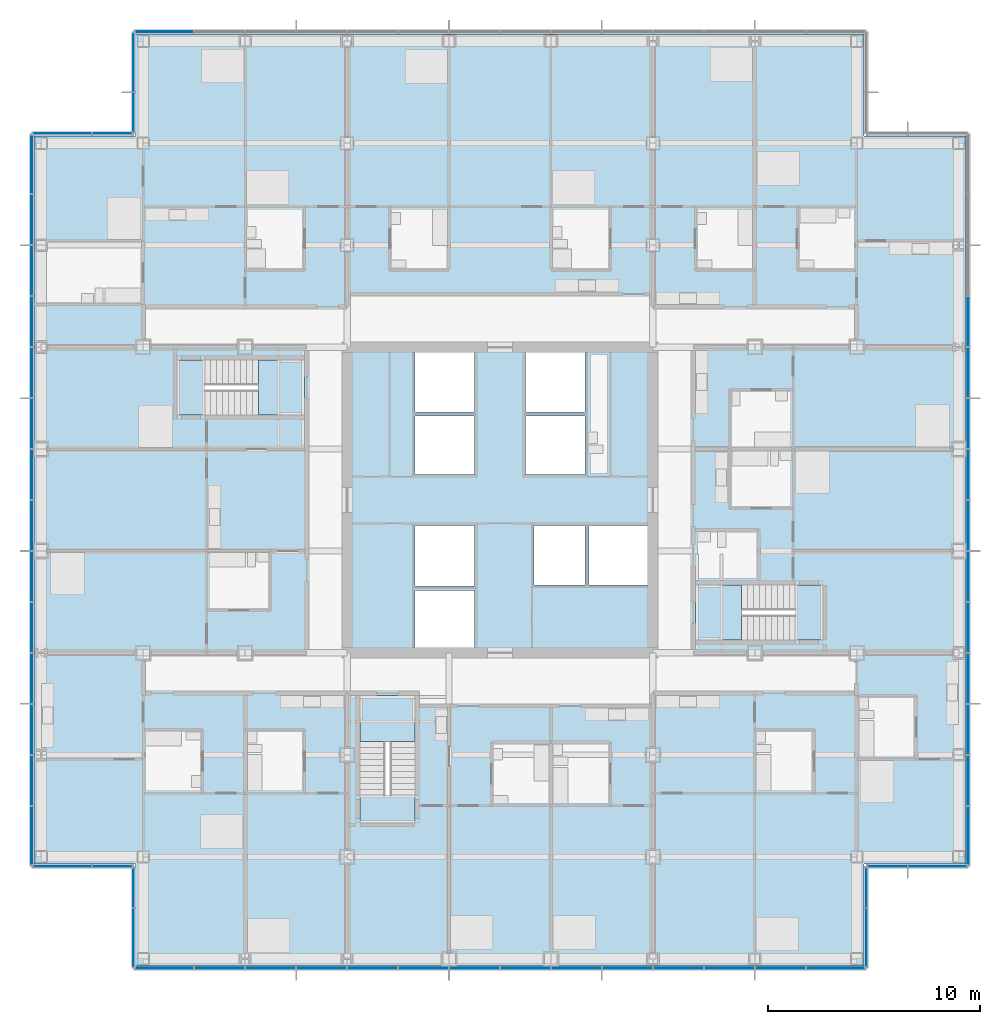
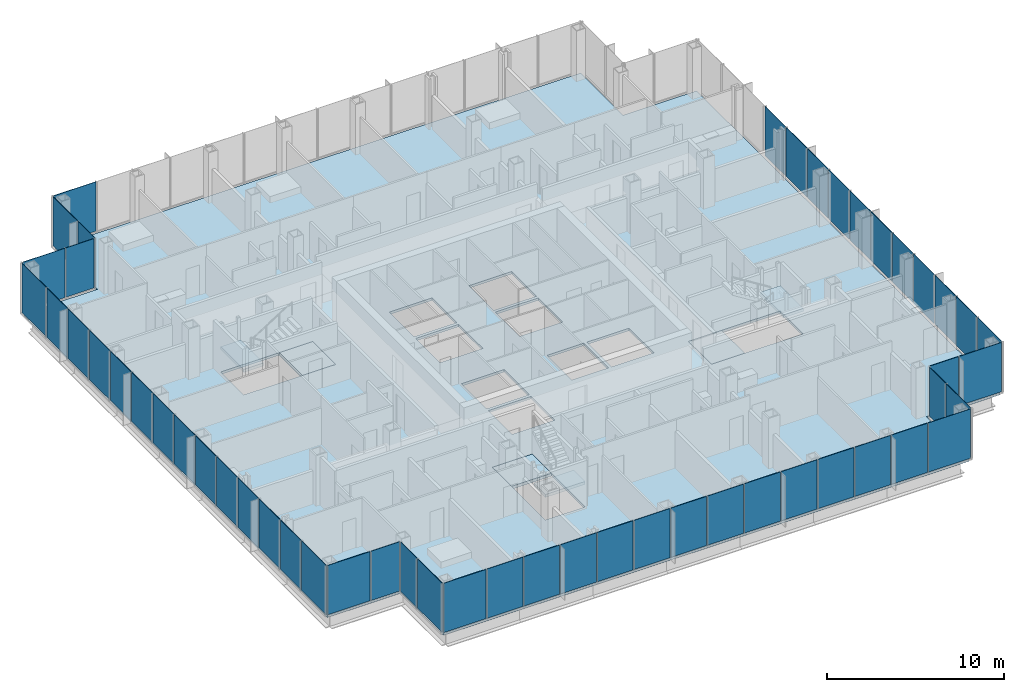
# One storey, part 12 of 21: 52 plates, 7 slabs, 13 elements without a shape of their own.
"""IFC4 building model written with IfcOpenShell, lengths in metres."""

from ifc_helpers import new_model, si_unit, direction, frame, origin, origin_2d, place, context, subcontext, project, spatial, polyline, rectangle, outline, extrude, material, layer, layer_set, type_object, element, aggregate, save


model = new_model("IFC4")

# Units and contexts
model_context = context("Model", 3, precision=1e-05, world=origin(), true_north=direction((0.0, 1.0)))
body_context = subcontext(model_context, "Body", "Model", "MODEL_VIEW")
ifc_project = project(units=[si_unit("LENGTHUNIT", "METRE"), si_unit("AREAUNIT", "SQUARE_METRE"), si_unit("VOLUMEUNIT", "CUBIC_METRE"), si_unit("PLANEANGLEUNIT", "RADIAN"), si_unit("MASSUNIT", "GRAM", prefix="KILO")], contexts=[model_context])

# Site, building, storey
site_placement = place(None, origin())
site = spatial("IfcSite", under=ifc_project, at=site_placement, CompositionType="ELEMENT")
building_placement = place(site_placement, origin())
building = spatial("IfcBuilding", under=site, at=building_placement, Name="Kvirike Care Tower", CompositionType="ELEMENT")
storey_placement = place(building_placement, frame((0.0, 0.0, 41.0)))
storey = spatial("IfcBuildingStorey", under=building, at=storey_placement, Name="L10", CompositionType="ELEMENT", Elevation=41.0)

# Slab
ifc_material_1 = material(Name="Concrete C35/45", Category="concrete")
ifc_layer_1 = layer(ifc_material_1, 0.169921875)
ifc_layer_set_1 = layer_set([ifc_layer_1], Name="FLOOR SLAB 170")
slab_type_1 = type_object("IfcSlabType", Name="FLOOR SLAB 170", PredefinedType="FLOOR", material=ifc_layer_set_1)
slab_1_placement = place(storey_placement, frame((0.0, 0.0, -0.169921875)))
element("IfcSlab", 1, at=slab_1_placement, inside=storey, type_object=slab_type_1, Name="Floor slab L10", PredefinedType="FLOOR", context=body_context, shape_type="SweptSolid", body=[
    extrude(outline(polyline([(-0.35009765625, 53.14990234375), (-0.35009765625, 18.85009765625), (4.449951171875, 18.85009765625), (4.449951171875, 14.050048828125), (38.75, 14.050048828125), (38.75, 18.85009765625), (43.550048828125, 18.85009765625), (43.550048828125, 53.14990234375), (38.75, 53.14990234375), (38.75, 57.949951171875), (4.449951171875, 57.949951171875), (4.449951171875, 53.14990234375), (-0.35009765625, 53.14990234375)]), holes=[polyline([(17.60009765625, 29.050048828125), (17.60009765625, 31.75), (20.39990234375, 31.75), (20.39990234375, 29.050048828125), (17.60009765625, 29.050048828125)]), polyline([(17.60009765625, 31.949951171875), (17.60009765625, 34.800048828125), (20.39990234375, 34.800048828125), (20.39990234375, 31.949951171875), (17.60009765625, 31.949951171875)]), polyline([(17.60009765625, 37.199951171875), (17.60009765625, 39.949951171875), (20.39990234375, 39.949951171875), (20.39990234375, 37.199951171875), (17.60009765625, 37.199951171875)]), polyline([(17.60009765625, 40.14990234375), (17.60009765625, 42.949951171875), (20.39990234375, 42.949951171875), (20.39990234375, 40.14990234375), (17.60009765625, 40.14990234375)]), polyline([(22.800048828125, 37.199951171875), (22.800048828125, 39.949951171875), (25.60009765625, 39.949951171875), (25.60009765625, 37.199951171875), (22.800048828125, 37.199951171875)]), polyline([(22.800048828125, 40.14990234375), (22.800048828125, 42.949951171875), (25.60009765625, 42.949951171875), (25.60009765625, 40.14990234375), (22.800048828125, 40.14990234375)]), polyline([(23.199951171875, 32.0), (23.199951171875, 34.800048828125), (25.60009765625, 34.800048828125), (25.60009765625, 32.0), (23.199951171875, 32.0)]), polyline([(25.800048828125, 32.0), (25.800048828125, 34.800048828125), (28.550048828125, 34.800048828125), (28.550048828125, 32.0), (25.800048828125, 32.0)]), polyline([(12.39990234375, 42.60009765625), (12.39990234375, 40.0), (6.39990234375, 40.0), (6.39990234375, 42.60009765625), (12.39990234375, 42.60009765625)]), polyline([(30.800048828125, 29.39990234375), (30.800048828125, 32.0), (36.800048828125, 32.0), (36.800048828125, 29.39990234375), (30.800048828125, 29.39990234375)]), polyline([(15.0, 26.800048828125), (17.60009765625, 26.800048828125), (17.60009765625, 20.800048828125), (15.0, 20.800048828125), (15.0, 26.800048828125)])]), origin(), (0.0, 0.0, 1.0), 0.169921875),
])

# Stair, slabs
ifc_material_2 = material(Name="Concrete C35/45", Category="concrete")
stair_type = type_object("IfcStairType", Name="STAIR 20 RISERS", PredefinedType="HALF_TURN_STAIR", material=ifc_material_2)
stair_1_placement = place(storey_placement, origin())
stair_1 = element("IfcStair", 2, at=stair_1_placement, inside=storey, type_object=stair_type, Name="Stair 1 L10", PredefinedType="HALF_TURN_STAIR")
ifc_material_3 = material(Name="Concrete C35/45", Category="concrete")
ifc_layer_2 = layer(ifc_material_3, 0.199951171875)
ifc_layer_set_2 = layer_set([ifc_layer_2], Name="STAIR LANDING 200")
slab_type_2 = type_object("IfcSlabType", Name="STAIR LANDING 200", PredefinedType="LANDING", material=ifc_layer_set_2)
slab_2_placement = place(storey_placement, frame((0.0, 0.0, -0.199951171875)))
slab_2 = element("IfcSlab", 3, at=slab_2_placement, type_object=slab_type_2, Name="Stair S1 floor landing L10", PredefinedType="LANDING", context=body_context, shape_type="SweptSolid", body=[
    extrude(outline(polyline([(10.219970703125, 42.60009765625), (10.219970703125, 40.0), (12.39990234375, 40.0), (12.39990234375, 42.60009765625), (10.219970703125, 42.60009765625)])), origin(), (0.0, 0.0, 1.0), 0.199951171875),
])
slab_3_placement = place(storey_placement, frame((0.0, 0.0, 1.550048828125)))
slab_3 = element("IfcSlab", 4, at=slab_3_placement, type_object=slab_type_2, Name="Stair S1 half landing L10-L11", PredefinedType="LANDING", context=body_context, shape_type="SweptSolid", body=[
    extrude(outline(polyline([(6.39990234375, 42.60009765625), (6.39990234375, 40.0), (7.699951171875, 40.0), (7.699951171875, 42.60009765625), (6.39990234375, 42.60009765625)])), origin(), (0.0, 0.0, 1.0), 0.199951171875),
])
aggregate(stair_1, [slab_2, slab_3])

stair_2_placement = place(storey_placement, origin())
stair_2 = element("IfcStair", 5, at=stair_2_placement, inside=storey, type_object=stair_type, Name="Stair 2 L10", PredefinedType="HALF_TURN_STAIR")
slab_4_placement = place(storey_placement, frame((0.0, 0.0, -0.199951171875)))
slab_4 = element("IfcSlab", 6, at=slab_4_placement, type_object=slab_type_2, Name="Stair S2 floor landing L10", PredefinedType="LANDING", context=body_context, shape_type="SweptSolid", body=[
    extrude(outline(polyline([(32.97998046875, 29.39990234375), (32.97998046875, 32.0), (30.800048828125, 32.0), (30.800048828125, 29.39990234375), (32.97998046875, 29.39990234375)])), origin(), (0.0, 0.0, 1.0), 0.199951171875),
])
slab_5_placement = place(storey_placement, frame((0.0, 0.0, 1.550048828125)))
slab_5 = element("IfcSlab", 7, at=slab_5_placement, type_object=slab_type_2, Name="Stair S2 half landing L10-L11", PredefinedType="LANDING", context=body_context, shape_type="SweptSolid", body=[
    extrude(outline(polyline([(36.800048828125, 29.39990234375), (36.800048828125, 32.0), (35.5, 32.0), (35.5, 29.39990234375), (36.800048828125, 29.39990234375)])), origin(), (0.0, 0.0, 1.0), 0.199951171875),
])
aggregate(stair_2, [slab_4, slab_5])

stair_3_placement = place(storey_placement, origin())
stair_3 = element("IfcStair", 8, at=stair_3_placement, inside=storey, type_object=stair_type, Name="Stair 5 L10", PredefinedType="HALF_TURN_STAIR")
slab_6_placement = place(storey_placement, frame((0.0, 0.0, -0.199951171875)))
slab_6 = element("IfcSlab", 9, at=slab_6_placement, type_object=slab_type_2, Name="Stair S5 floor landing L10", PredefinedType="LANDING", context=body_context, shape_type="SweptSolid", body=[
    extrude(outline(polyline([(15.0, 24.6201171875), (17.60009765625, 24.6201171875), (17.60009765625, 26.800048828125), (15.0, 26.800048828125), (15.0, 24.6201171875)])), origin(), (0.0, 0.0, 1.0), 0.199951171875),
])
slab_7_placement = place(storey_placement, frame((0.0, 0.0, 1.550048828125)))
slab_7 = element("IfcSlab", 10, at=slab_7_placement, type_object=slab_type_2, Name="Stair S5 half landing L10-L11", PredefinedType="LANDING", context=body_context, shape_type="SweptSolid", body=[
    extrude(outline(polyline([(15.0, 20.800048828125), (17.60009765625, 20.800048828125), (17.60009765625, 22.10009765625), (15.0, 22.10009765625), (15.0, 20.800048828125)])), origin(), (0.0, 0.0, 1.0), 0.199951171875),
])
aggregate(stair_3, [slab_6, slab_7])

# Curtain wall, plates
ifc_material_4 = material(Name="Anodised aluminium stick system", Category="aluminium")
curtain_wall_type = type_object("IfcCurtainWallType", Name="CW-A STICK CURTAIN WALL", PredefinedType="NOTDEFINED", material=ifc_material_4)
curtain_wall_1_placement = place(storey_placement, origin())
curtain_wall_1 = element("IfcCurtainWall", 11, at=curtain_wall_1_placement, inside=storey, type_object=curtain_wall_type, Name="Curtain wall L10 face 1", PredefinedType="NOTDEFINED")
ifc_material_5 = material(Name="Tinted double glazed unit", Category="glass")
ifc_layer_3 = layer(ifc_material_5, 0.031982421875)
ifc_layer_set_3 = layer_set([ifc_layer_3], Name="TINTED VISION PANEL 32")
plate_type = type_object("IfcPlateType", Name="TINTED VISION PANEL 32", PredefinedType="CURTAIN_PANEL", material=ifc_layer_set_3)
plate_1_placement = place(storey_placement, frame((-0.449951171875, 51.808837890625, 0.10009765625), z_axis=(0.0, 0.0, 1.0), x_axis=(0.0, -1.0, 0.0)))
plate_1 = element("IfcPlate", 12, at=plate_1_placement, type_object=plate_type, Name="CW-A panel L10 face 1.1", PredefinedType="CURTAIN_PANEL", context=body_context, shape_type="SweptSolid", body=[
    extrude(rectangle(XDim=2.75244140625, YDim=0.031982421875, at=origin_2d()), origin(), (0.0, 0.0, 1.0), 3.39990234375),
])
plate_2_placement = place(storey_placement, frame((-0.449951171875, 49.199951171875, 0.10009765625), z_axis=(0.0, 0.0, 1.0), x_axis=(0.0, -1.0, 0.0)))
plate_2 = element("IfcPlate", 13, at=plate_2_placement, type_object=plate_type, Name="CW-A panel L10 face 1.2", PredefinedType="CURTAIN_PANEL", context=body_context, shape_type="SweptSolid", body=[
    extrude(rectangle(XDim=2.3349609375, YDim=0.031982421875, at=origin_2d()), origin(), (0.0, 0.0, 1.0), 3.39990234375),
])
plate_3_placement = place(storey_placement, frame((-0.449951171875, 46.800048828125, 0.10009765625), z_axis=(0.0, 0.0, 1.0), x_axis=(0.0, -1.0, 0.0)))
plate_3 = element("IfcPlate", 14, at=plate_3_placement, type_object=plate_type, Name="CW-A panel L10 face 1.3", PredefinedType="CURTAIN_PANEL", context=body_context, shape_type="SweptSolid", body=[
    extrude(rectangle(XDim=2.3349609375, YDim=0.031982421875, at=origin_2d()), origin(), (0.0, 0.0, 1.0), 3.39990234375),
])
plate_4_placement = place(storey_placement, frame((-0.449951171875, 44.39990234375, 0.10009765625), z_axis=(0.0, 0.0, 1.0), x_axis=(0.0, -1.0, 0.0)))
plate_4 = element("IfcPlate", 15, at=plate_4_placement, type_object=plate_type, Name="CW-A panel L10 face 1.4", PredefinedType="CURTAIN_PANEL", context=body_context, shape_type="SweptSolid", body=[
    extrude(rectangle(XDim=2.3349609375, YDim=0.031982421875, at=origin_2d()), origin(), (0.0, 0.0, 1.0), 3.39990234375),
])
plate_5_placement = place(storey_placement, frame((-0.449951171875, 42.0, 0.10009765625), z_axis=(0.0, 0.0, 1.0), x_axis=(0.0, -1.0, 0.0)))
plate_5 = element("IfcPlate", 16, at=plate_5_placement, type_object=plate_type, Name="CW-A panel L10 face 1.5", PredefinedType="CURTAIN_PANEL", context=body_context, shape_type="SweptSolid", body=[
    extrude(rectangle(XDim=2.3349609375, YDim=0.031982421875, at=origin_2d()), origin(), (0.0, 0.0, 1.0), 3.39990234375),
])
plate_6_placement = place(storey_placement, frame((-0.449951171875, 39.60009765625, 0.10009765625), z_axis=(0.0, 0.0, 1.0), x_axis=(0.0, -1.0, 0.0)))
plate_6 = element("IfcPlate", 17, at=plate_6_placement, type_object=plate_type, Name="CW-A panel L10 face 1.6", PredefinedType="CURTAIN_PANEL", context=body_context, shape_type="SweptSolid", body=[
    extrude(rectangle(XDim=2.3349609375, YDim=0.031982421875, at=origin_2d()), origin(), (0.0, 0.0, 1.0), 3.39990234375),
])
plate_7_placement = place(storey_placement, frame((-0.449951171875, 37.199951171875, 0.10009765625), z_axis=(0.0, 0.0, 1.0), x_axis=(0.0, -1.0, 0.0)))
plate_7 = element("IfcPlate", 18, at=plate_7_placement, type_object=plate_type, Name="CW-A panel L10 face 1.7", PredefinedType="CURTAIN_PANEL", context=body_context, shape_type="SweptSolid", body=[
    extrude(rectangle(XDim=2.3349609375, YDim=0.031982421875, at=origin_2d()), origin(), (0.0, 0.0, 1.0), 3.39990234375),
])
plate_8_placement = place(storey_placement, frame((-0.449951171875, 34.800048828125, 0.10009765625), z_axis=(0.0, 0.0, 1.0), x_axis=(0.0, -1.0, 0.0)))
plate_8 = element("IfcPlate", 19, at=plate_8_placement, type_object=plate_type, Name="CW-A panel L10 face 1.8", PredefinedType="CURTAIN_PANEL", context=body_context, shape_type="SweptSolid", body=[
    extrude(rectangle(XDim=2.3349609375, YDim=0.031982421875, at=origin_2d()), origin(), (0.0, 0.0, 1.0), 3.39990234375),
])
plate_9_placement = place(storey_placement, frame((-0.449951171875, 32.39990234375, 0.10009765625), z_axis=(0.0, 0.0, 1.0), x_axis=(0.0, -1.0, 0.0)))
plate_9 = element("IfcPlate", 20, at=plate_9_placement, type_object=plate_type, Name="CW-A panel L10 face 1.9", PredefinedType="CURTAIN_PANEL", context=body_context, shape_type="SweptSolid", body=[
    extrude(rectangle(XDim=2.3349609375, YDim=0.031982421875, at=origin_2d()), origin(), (0.0, 0.0, 1.0), 3.39990234375),
])
plate_10_placement = place(storey_placement, frame((-0.449951171875, 30.0, 0.10009765625), z_axis=(0.0, 0.0, 1.0), x_axis=(0.0, -1.0, 0.0)))
plate_10 = element("IfcPlate", 21, at=plate_10_placement, type_object=plate_type, Name="CW-A panel L10 face 1.10", PredefinedType="CURTAIN_PANEL", context=body_context, shape_type="SweptSolid", body=[
    extrude(rectangle(XDim=2.3349609375, YDim=0.031982421875, at=origin_2d()), origin(), (0.0, 0.0, 1.0), 3.39990234375),
])
plate_11_placement = place(storey_placement, frame((-0.449951171875, 27.60009765625, 0.10009765625), z_axis=(0.0, 0.0, 1.0), x_axis=(0.0, -1.0, 0.0)))
plate_11 = element("IfcPlate", 22, at=plate_11_placement, type_object=plate_type, Name="CW-A panel L10 face 1.11", PredefinedType="CURTAIN_PANEL", context=body_context, shape_type="SweptSolid", body=[
    extrude(rectangle(XDim=2.3349609375, YDim=0.031982421875, at=origin_2d()), origin(), (0.0, 0.0, 1.0), 3.39990234375),
])
plate_12_placement = place(storey_placement, frame((-0.449951171875, 25.199951171875, 0.10009765625), z_axis=(0.0, 0.0, 1.0), x_axis=(0.0, -1.0, 0.0)))
plate_12 = element("IfcPlate", 23, at=plate_12_placement, type_object=plate_type, Name="CW-A panel L10 face 1.12", PredefinedType="CURTAIN_PANEL", context=body_context, shape_type="SweptSolid", body=[
    extrude(rectangle(XDim=2.3349609375, YDim=0.031982421875, at=origin_2d()), origin(), (0.0, 0.0, 1.0), 3.39990234375),
])
plate_13_placement = place(storey_placement, frame((-0.449951171875, 22.800048828125, 0.10009765625), z_axis=(0.0, 0.0, 1.0), x_axis=(0.0, -1.0, 0.0)))
plate_13 = element("IfcPlate", 24, at=plate_13_placement, type_object=plate_type, Name="CW-A panel L10 face 1.13", PredefinedType="CURTAIN_PANEL", context=body_context, shape_type="SweptSolid", body=[
    extrude(rectangle(XDim=2.3349609375, YDim=0.031982421875, at=origin_2d()), origin(), (0.0, 0.0, 1.0), 3.39990234375),
])
plate_14_placement = place(storey_placement, frame((-0.449951171875, 20.191162109375, 0.10009765625), z_axis=(0.0, 0.0, 1.0), x_axis=(0.0, -1.0, 0.0)))
plate_14 = element("IfcPlate", 25, at=plate_14_placement, type_object=plate_type, Name="CW-A panel L10 face 1.14", PredefinedType="CURTAIN_PANEL", context=body_context, shape_type="SweptSolid", body=[
    extrude(rectangle(XDim=2.75244140625, YDim=0.031982421875, at=origin_2d()), origin(), (0.0, 0.0, 1.0), 3.39990234375),
])
aggregate(curtain_wall_1, [plate_1, plate_2, plate_3, plate_4, plate_5, plate_6, plate_7, plate_8, plate_9, plate_10, plate_11, plate_12, plate_13, plate_14])

curtain_wall_2_placement = place(storey_placement, origin())
curtain_wall_2 = element("IfcCurtainWall", 26, at=curtain_wall_2_placement, inside=storey, type_object=curtain_wall_type, Name="Curtain wall L10 face 2", PredefinedType="NOTDEFINED")
plate_15_placement = place(storey_placement, frame((0.9912109375, 18.75, 0.10009765625), z_axis=(0.0, 0.0, 1.0), x_axis=(1.0, 0.0, 0.0)))
plate_15 = element("IfcPlate", 27, at=plate_15_placement, type_object=plate_type, Name="CW-A panel L10 face 2.1", PredefinedType="CURTAIN_PANEL", context=body_context, shape_type="SweptSolid", body=[
    extrude(rectangle(XDim=2.75244140625, YDim=0.031982421875, at=origin_2d()), origin(), (0.0, 0.0, 1.0), 3.39990234375),
])
plate_16_placement = place(storey_placement, frame((3.358642578125, 18.75, 0.10009765625), z_axis=(0.0, 0.0, 1.0), x_axis=(1.0, 0.0, 0.0)))
plate_16 = element("IfcPlate", 28, at=plate_16_placement, type_object=plate_type, Name="CW-A panel L10 face 2.2", PredefinedType="CURTAIN_PANEL", context=body_context, shape_type="SweptSolid", body=[
    extrude(rectangle(XDim=1.8525390625, YDim=0.031982421875, at=origin_2d()), origin(), (0.0, 0.0, 1.0), 3.39990234375),
])
aggregate(curtain_wall_2, [plate_15, plate_16])

curtain_wall_3_placement = place(storey_placement, origin())
curtain_wall_3 = element("IfcCurtainWall", 29, at=curtain_wall_3_placement, inside=storey, type_object=curtain_wall_type, Name="Curtain wall L10 face 3", PredefinedType="NOTDEFINED")
plate_17_placement = place(storey_placement, frame((4.35009765625, 17.7587890625, 0.10009765625), z_axis=(0.0, 0.0, 1.0), x_axis=(0.0, -1.0, 0.0)))
plate_17 = element("IfcPlate", 30, at=plate_17_placement, type_object=plate_type, Name="CW-A panel L10 face 3.1", PredefinedType="CURTAIN_PANEL", context=body_context, shape_type="SweptSolid", body=[
    extrude(rectangle(XDim=1.8525390625, YDim=0.031982421875, at=origin_2d()), origin(), (0.0, 0.0, 1.0), 3.39990234375),
])
plate_18_placement = place(storey_placement, frame((4.35009765625, 15.391357421875, 0.10009765625), z_axis=(0.0, 0.0, 1.0), x_axis=(0.0, -1.0, 0.0)))
plate_18 = element("IfcPlate", 31, at=plate_18_placement, type_object=plate_type, Name="CW-A panel L10 face 3.2", PredefinedType="CURTAIN_PANEL", context=body_context, shape_type="SweptSolid", body=[
    extrude(rectangle(XDim=2.75244140625, YDim=0.031982421875, at=origin_2d()), origin(), (0.0, 0.0, 1.0), 3.39990234375),
])
aggregate(curtain_wall_3, [plate_17, plate_18])

curtain_wall_4_placement = place(storey_placement, origin())
curtain_wall_4 = element("IfcCurtainWall", 32, at=curtain_wall_4_placement, inside=storey, type_object=curtain_wall_type, Name="Curtain wall L10 face 4", PredefinedType="NOTDEFINED")
plate_19_placement = place(storey_placement, frame((5.791259765625, 13.949951171875, 0.10009765625), z_axis=(0.0, 0.0, 1.0), x_axis=(1.0, 0.0, 0.0)))
plate_19 = element("IfcPlate", 33, at=plate_19_placement, type_object=plate_type, Name="CW-A panel L10 face 4.1", PredefinedType="CURTAIN_PANEL", context=body_context, shape_type="SweptSolid", body=[
    extrude(rectangle(XDim=2.75244140625, YDim=0.031982421875, at=origin_2d()), origin(), (0.0, 0.0, 1.0), 3.39990234375),
])
plate_20_placement = place(storey_placement, frame((8.39990234375, 13.949951171875, 0.10009765625), z_axis=(0.0, 0.0, 1.0), x_axis=(1.0, 0.0, 0.0)))
plate_20 = element("IfcPlate", 34, at=plate_20_placement, type_object=plate_type, Name="CW-A panel L10 face 4.2", PredefinedType="CURTAIN_PANEL", context=body_context, shape_type="SweptSolid", body=[
    extrude(rectangle(XDim=2.3349609375, YDim=0.031982421875, at=origin_2d()), origin(), (0.0, 0.0, 1.0), 3.39990234375),
])
plate_21_placement = place(storey_placement, frame((10.800048828125, 13.949951171875, 0.10009765625), z_axis=(0.0, 0.0, 1.0), x_axis=(1.0, 0.0, 0.0)))
plate_21 = element("IfcPlate", 35, at=plate_21_placement, type_object=plate_type, Name="CW-A panel L10 face 4.3", PredefinedType="CURTAIN_PANEL", context=body_context, shape_type="SweptSolid", body=[
    extrude(rectangle(XDim=2.3349609375, YDim=0.031982421875, at=origin_2d()), origin(), (0.0, 0.0, 1.0), 3.39990234375),
])
plate_22_placement = place(storey_placement, frame((13.199951171875, 13.949951171875, 0.10009765625), z_axis=(0.0, 0.0, 1.0), x_axis=(1.0, 0.0, 0.0)))
plate_22 = element("IfcPlate", 36, at=plate_22_placement, type_object=plate_type, Name="CW-A panel L10 face 4.4", PredefinedType="CURTAIN_PANEL", context=body_context, shape_type="SweptSolid", body=[
    extrude(rectangle(XDim=2.3349609375, YDim=0.031982421875, at=origin_2d()), origin(), (0.0, 0.0, 1.0), 3.39990234375),
])
plate_23_placement = place(storey_placement, frame((15.60009765625, 13.949951171875, 0.10009765625), z_axis=(0.0, 0.0, 1.0), x_axis=(1.0, 0.0, 0.0)))
plate_23 = element("IfcPlate", 37, at=plate_23_placement, type_object=plate_type, Name="CW-A panel L10 face 4.5", PredefinedType="CURTAIN_PANEL", context=body_context, shape_type="SweptSolid", body=[
    extrude(rectangle(XDim=2.3349609375, YDim=0.031982421875, at=origin_2d()), origin(), (0.0, 0.0, 1.0), 3.39990234375),
])
plate_24_placement = place(storey_placement, frame((18.0, 13.949951171875, 0.10009765625), z_axis=(0.0, 0.0, 1.0), x_axis=(1.0, 0.0, 0.0)))
plate_24 = element("IfcPlate", 38, at=plate_24_placement, type_object=plate_type, Name="CW-A panel L10 face 4.6", PredefinedType="CURTAIN_PANEL", context=body_context, shape_type="SweptSolid", body=[
    extrude(rectangle(XDim=2.3349609375, YDim=0.031982421875, at=origin_2d()), origin(), (0.0, 0.0, 1.0), 3.39990234375),
])
plate_25_placement = place(storey_placement, frame((20.39990234375, 13.949951171875, 0.10009765625), z_axis=(0.0, 0.0, 1.0), x_axis=(1.0, 0.0, 0.0)))
plate_25 = element("IfcPlate", 39, at=plate_25_placement, type_object=plate_type, Name="CW-A panel L10 face 4.7", PredefinedType="CURTAIN_PANEL", context=body_context, shape_type="SweptSolid", body=[
    extrude(rectangle(XDim=2.3349609375, YDim=0.031982421875, at=origin_2d()), origin(), (0.0, 0.0, 1.0), 3.39990234375),
])
plate_26_placement = place(storey_placement, frame((22.800048828125, 13.949951171875, 0.10009765625), z_axis=(0.0, 0.0, 1.0), x_axis=(1.0, 0.0, 0.0)))
plate_26 = element("IfcPlate", 40, at=plate_26_placement, type_object=plate_type, Name="CW-A panel L10 face 4.8", PredefinedType="CURTAIN_PANEL", context=body_context, shape_type="SweptSolid", body=[
    extrude(rectangle(XDim=2.3349609375, YDim=0.031982421875, at=origin_2d()), origin(), (0.0, 0.0, 1.0), 3.39990234375),
])
plate_27_placement = place(storey_placement, frame((25.199951171875, 13.949951171875, 0.10009765625), z_axis=(0.0, 0.0, 1.0), x_axis=(1.0, 0.0, 0.0)))
plate_27 = element("IfcPlate", 41, at=plate_27_placement, type_object=plate_type, Name="CW-A panel L10 face 4.9", PredefinedType="CURTAIN_PANEL", context=body_context, shape_type="SweptSolid", body=[
    extrude(rectangle(XDim=2.3349609375, YDim=0.031982421875, at=origin_2d()), origin(), (0.0, 0.0, 1.0), 3.39990234375),
])
plate_28_placement = place(storey_placement, frame((27.60009765625, 13.949951171875, 0.10009765625), z_axis=(0.0, 0.0, 1.0), x_axis=(1.0, 0.0, 0.0)))
plate_28 = element("IfcPlate", 42, at=plate_28_placement, type_object=plate_type, Name="CW-A panel L10 face 4.10", PredefinedType="CURTAIN_PANEL", context=body_context, shape_type="SweptSolid", body=[
    extrude(rectangle(XDim=2.3349609375, YDim=0.031982421875, at=origin_2d()), origin(), (0.0, 0.0, 1.0), 3.39990234375),
])
plate_29_placement = place(storey_placement, frame((30.0, 13.949951171875, 0.10009765625), z_axis=(0.0, 0.0, 1.0), x_axis=(1.0, 0.0, 0.0)))
plate_29 = element("IfcPlate", 43, at=plate_29_placement, type_object=plate_type, Name="CW-A panel L10 face 4.11", PredefinedType="CURTAIN_PANEL", context=body_context, shape_type="SweptSolid", body=[
    extrude(rectangle(XDim=2.3349609375, YDim=0.031982421875, at=origin_2d()), origin(), (0.0, 0.0, 1.0), 3.39990234375),
])
plate_30_placement = place(storey_placement, frame((32.39990234375, 13.949951171875, 0.10009765625), z_axis=(0.0, 0.0, 1.0), x_axis=(1.0, 0.0, 0.0)))
plate_30 = element("IfcPlate", 44, at=plate_30_placement, type_object=plate_type, Name="CW-A panel L10 face 4.12", PredefinedType="CURTAIN_PANEL", context=body_context, shape_type="SweptSolid", body=[
    extrude(rectangle(XDim=2.3349609375, YDim=0.031982421875, at=origin_2d()), origin(), (0.0, 0.0, 1.0), 3.39990234375),
])
plate_31_placement = place(storey_placement, frame((34.800048828125, 13.949951171875, 0.10009765625), z_axis=(0.0, 0.0, 1.0), x_axis=(1.0, 0.0, 0.0)))
plate_31 = element("IfcPlate", 45, at=plate_31_placement, type_object=plate_type, Name="CW-A panel L10 face 4.13", PredefinedType="CURTAIN_PANEL", context=body_context, shape_type="SweptSolid", body=[
    extrude(rectangle(XDim=2.3349609375, YDim=0.031982421875, at=origin_2d()), origin(), (0.0, 0.0, 1.0), 3.39990234375),
])
plate_32_placement = place(storey_placement, frame((37.40869140625, 13.949951171875, 0.10009765625), z_axis=(0.0, 0.0, 1.0), x_axis=(1.0, 0.0, 0.0)))
plate_32 = element("IfcPlate", 46, at=plate_32_placement, type_object=plate_type, Name="CW-A panel L10 face 4.14", PredefinedType="CURTAIN_PANEL", context=body_context, shape_type="SweptSolid", body=[
    extrude(rectangle(XDim=2.75244140625, YDim=0.031982421875, at=origin_2d()), origin(), (0.0, 0.0, 1.0), 3.39990234375),
])
aggregate(curtain_wall_4, [plate_19, plate_20, plate_21, plate_22, plate_23, plate_24, plate_25, plate_26, plate_27, plate_28, plate_29, plate_30, plate_31, plate_32])

curtain_wall_5_placement = place(storey_placement, origin())
curtain_wall_5 = element("IfcCurtainWall", 47, at=curtain_wall_5_placement, inside=storey, type_object=curtain_wall_type, Name="Curtain wall L10 face 5", PredefinedType="NOTDEFINED")
plate_33_placement = place(storey_placement, frame((38.85009765625, 15.391357421875, 0.10009765625), z_axis=(0.0, 0.0, 1.0), x_axis=(0.0, 1.0, 0.0)))
plate_33 = element("IfcPlate", 48, at=plate_33_placement, type_object=plate_type, Name="CW-A panel L10 face 5.1", PredefinedType="CURTAIN_PANEL", context=body_context, shape_type="SweptSolid", body=[
    extrude(rectangle(XDim=2.75244140625, YDim=0.031982421875, at=origin_2d()), origin(), (0.0, 0.0, 1.0), 3.39990234375),
])
plate_34_placement = place(storey_placement, frame((38.85009765625, 17.7587890625, 0.10009765625), z_axis=(0.0, 0.0, 1.0), x_axis=(0.0, 1.0, 0.0)))
plate_34 = element("IfcPlate", 49, at=plate_34_placement, type_object=plate_type, Name="CW-A panel L10 face 5.2", PredefinedType="CURTAIN_PANEL", context=body_context, shape_type="SweptSolid", body=[
    extrude(rectangle(XDim=1.8525390625, YDim=0.031982421875, at=origin_2d()), origin(), (0.0, 0.0, 1.0), 3.39990234375),
])
aggregate(curtain_wall_5, [plate_33, plate_34])

curtain_wall_6_placement = place(storey_placement, origin())
curtain_wall_6 = element("IfcCurtainWall", 50, at=curtain_wall_6_placement, inside=storey, type_object=curtain_wall_type, Name="Curtain wall L10 face 6", PredefinedType="NOTDEFINED")
plate_35_placement = place(storey_placement, frame((39.84130859375, 18.75, 0.10009765625), z_axis=(0.0, 0.0, 1.0), x_axis=(1.0, 0.0, 0.0)))
plate_35 = element("IfcPlate", 51, at=plate_35_placement, type_object=plate_type, Name="CW-A panel L10 face 6.1", PredefinedType="CURTAIN_PANEL", context=body_context, shape_type="SweptSolid", body=[
    extrude(rectangle(XDim=1.8525390625, YDim=0.031982421875, at=origin_2d()), origin(), (0.0, 0.0, 1.0), 3.39990234375),
])
plate_36_placement = place(storey_placement, frame((42.208740234375, 18.75, 0.10009765625), z_axis=(0.0, 0.0, 1.0), x_axis=(1.0, 0.0, 0.0)))
plate_36 = element("IfcPlate", 52, at=plate_36_placement, type_object=plate_type, Name="CW-A panel L10 face 6.2", PredefinedType="CURTAIN_PANEL", context=body_context, shape_type="SweptSolid", body=[
    extrude(rectangle(XDim=2.75244140625, YDim=0.031982421875, at=origin_2d()), origin(), (0.0, 0.0, 1.0), 3.39990234375),
])
aggregate(curtain_wall_6, [plate_35, plate_36])

curtain_wall_7_placement = place(storey_placement, origin())
curtain_wall_7 = element("IfcCurtainWall", 53, at=curtain_wall_7_placement, inside=storey, type_object=curtain_wall_type, Name="Curtain wall L10 face 7", PredefinedType="NOTDEFINED")
plate_37_placement = place(storey_placement, frame((43.64990234375, 20.191162109375, 0.10009765625), z_axis=(0.0, 0.0, 1.0), x_axis=(0.0, 1.0, 0.0)))
plate_37 = element("IfcPlate", 54, at=plate_37_placement, type_object=plate_type, Name="CW-A panel L10 face 7.1", PredefinedType="CURTAIN_PANEL", context=body_context, shape_type="SweptSolid", body=[
    extrude(rectangle(XDim=2.75244140625, YDim=0.031982421875, at=origin_2d()), origin(), (0.0, 0.0, 1.0), 3.39990234375),
])
plate_38_placement = place(storey_placement, frame((43.64990234375, 22.800048828125, 0.10009765625), z_axis=(0.0, 0.0, 1.0), x_axis=(0.0, 1.0, 0.0)))
plate_38 = element("IfcPlate", 55, at=plate_38_placement, type_object=plate_type, Name="CW-A panel L10 face 7.2", PredefinedType="CURTAIN_PANEL", context=body_context, shape_type="SweptSolid", body=[
    extrude(rectangle(XDim=2.3349609375, YDim=0.031982421875, at=origin_2d()), origin(), (0.0, 0.0, 1.0), 3.39990234375),
])
plate_39_placement = place(storey_placement, frame((43.64990234375, 25.199951171875, 0.10009765625), z_axis=(0.0, 0.0, 1.0), x_axis=(0.0, 1.0, 0.0)))
plate_39 = element("IfcPlate", 56, at=plate_39_placement, type_object=plate_type, Name="CW-A panel L10 face 7.3", PredefinedType="CURTAIN_PANEL", context=body_context, shape_type="SweptSolid", body=[
    extrude(rectangle(XDim=2.3349609375, YDim=0.031982421875, at=origin_2d()), origin(), (0.0, 0.0, 1.0), 3.39990234375),
])
plate_40_placement = place(storey_placement, frame((43.64990234375, 27.60009765625, 0.10009765625), z_axis=(0.0, 0.0, 1.0), x_axis=(0.0, 1.0, 0.0)))
plate_40 = element("IfcPlate", 57, at=plate_40_placement, type_object=plate_type, Name="CW-A panel L10 face 7.4", PredefinedType="CURTAIN_PANEL", context=body_context, shape_type="SweptSolid", body=[
    extrude(rectangle(XDim=2.3349609375, YDim=0.031982421875, at=origin_2d()), origin(), (0.0, 0.0, 1.0), 3.39990234375),
])
plate_41_placement = place(storey_placement, frame((43.64990234375, 30.0, 0.10009765625), z_axis=(0.0, 0.0, 1.0), x_axis=(0.0, 1.0, 0.0)))
plate_41 = element("IfcPlate", 58, at=plate_41_placement, type_object=plate_type, Name="CW-A panel L10 face 7.5", PredefinedType="CURTAIN_PANEL", context=body_context, shape_type="SweptSolid", body=[
    extrude(rectangle(XDim=2.3349609375, YDim=0.031982421875, at=origin_2d()), origin(), (0.0, 0.0, 1.0), 3.39990234375),
])
plate_42_placement = place(storey_placement, frame((43.64990234375, 32.39990234375, 0.10009765625), z_axis=(0.0, 0.0, 1.0), x_axis=(0.0, 1.0, 0.0)))
plate_42 = element("IfcPlate", 59, at=plate_42_placement, type_object=plate_type, Name="CW-A panel L10 face 7.6", PredefinedType="CURTAIN_PANEL", context=body_context, shape_type="SweptSolid", body=[
    extrude(rectangle(XDim=2.3349609375, YDim=0.031982421875, at=origin_2d()), origin(), (0.0, 0.0, 1.0), 3.39990234375),
])
plate_43_placement = place(storey_placement, frame((43.64990234375, 34.800048828125, 0.10009765625), z_axis=(0.0, 0.0, 1.0), x_axis=(0.0, 1.0, 0.0)))
plate_43 = element("IfcPlate", 60, at=plate_43_placement, type_object=plate_type, Name="CW-A panel L10 face 7.7", PredefinedType="CURTAIN_PANEL", context=body_context, shape_type="SweptSolid", body=[
    extrude(rectangle(XDim=2.3349609375, YDim=0.031982421875, at=origin_2d()), origin(), (0.0, 0.0, 1.0), 3.39990234375),
])
plate_44_placement = place(storey_placement, frame((43.64990234375, 37.199951171875, 0.10009765625), z_axis=(0.0, 0.0, 1.0), x_axis=(0.0, 1.0, 0.0)))
plate_44 = element("IfcPlate", 61, at=plate_44_placement, type_object=plate_type, Name="CW-A panel L10 face 7.8", PredefinedType="CURTAIN_PANEL", context=body_context, shape_type="SweptSolid", body=[
    extrude(rectangle(XDim=2.3349609375, YDim=0.031982421875, at=origin_2d()), origin(), (0.0, 0.0, 1.0), 3.39990234375),
])
plate_45_placement = place(storey_placement, frame((43.64990234375, 39.60009765625, 0.10009765625), z_axis=(0.0, 0.0, 1.0), x_axis=(0.0, 1.0, 0.0)))
plate_45 = element("IfcPlate", 62, at=plate_45_placement, type_object=plate_type, Name="CW-A panel L10 face 7.9", PredefinedType="CURTAIN_PANEL", context=body_context, shape_type="SweptSolid", body=[
    extrude(rectangle(XDim=2.3349609375, YDim=0.031982421875, at=origin_2d()), origin(), (0.0, 0.0, 1.0), 3.39990234375),
])
plate_46_placement = place(storey_placement, frame((43.64990234375, 42.0, 0.10009765625), z_axis=(0.0, 0.0, 1.0), x_axis=(0.0, 1.0, 0.0)))
plate_46 = element("IfcPlate", 63, at=plate_46_placement, type_object=plate_type, Name="CW-A panel L10 face 7.10", PredefinedType="CURTAIN_PANEL", context=body_context, shape_type="SweptSolid", body=[
    extrude(rectangle(XDim=2.3349609375, YDim=0.031982421875, at=origin_2d()), origin(), (0.0, 0.0, 1.0), 3.39990234375),
])
plate_47_placement = place(storey_placement, frame((43.64990234375, 44.39990234375, 0.10009765625), z_axis=(0.0, 0.0, 1.0), x_axis=(0.0, 1.0, 0.0)))
plate_47 = element("IfcPlate", 64, at=plate_47_placement, type_object=plate_type, Name="CW-A panel L10 face 7.11", PredefinedType="CURTAIN_PANEL", context=body_context, shape_type="SweptSolid", body=[
    extrude(rectangle(XDim=2.3349609375, YDim=0.031982421875, at=origin_2d()), origin(), (0.0, 0.0, 1.0), 3.39990234375),
])
aggregate(curtain_wall_7, [plate_37, plate_38, plate_39, plate_40, plate_41, plate_42, plate_43, plate_44, plate_45, plate_46, plate_47])

# Curtain wall, plate
curtain_wall_8_placement = place(storey_placement, origin())
curtain_wall_8 = element("IfcCurtainWall", 65, at=curtain_wall_8_placement, inside=storey, type_object=curtain_wall_type, Name="Curtain wall L10 face 10", PredefinedType="NOTDEFINED")
plate_48_placement = place(storey_placement, frame((5.791259765625, 58.050048828125, 0.10009765625), z_axis=(0.0, 0.0, 1.0), x_axis=(-1.0, 0.0, 0.0)))
plate_48 = element("IfcPlate", 66, at=plate_48_placement, type_object=plate_type, Name="CW-A panel L10 face 10.14", PredefinedType="CURTAIN_PANEL", context=body_context, shape_type="SweptSolid", body=[
    extrude(rectangle(XDim=2.75244140625, YDim=0.031982421875, at=origin_2d()), origin(), (0.0, 0.0, 1.0), 3.39990234375),
])
aggregate(curtain_wall_8, [plate_48])

# Curtain wall, plates
curtain_wall_9_placement = place(storey_placement, origin())
curtain_wall_9 = element("IfcCurtainWall", 67, at=curtain_wall_9_placement, inside=storey, type_object=curtain_wall_type, Name="Curtain wall L10 face 11", PredefinedType="NOTDEFINED")
plate_49_placement = place(storey_placement, frame((4.35009765625, 56.608642578125, 0.10009765625), z_axis=(0.0, 0.0, 1.0), x_axis=(0.0, -1.0, 0.0)))
plate_49 = element("IfcPlate", 68, at=plate_49_placement, type_object=plate_type, Name="CW-A panel L10 face 11.1", PredefinedType="CURTAIN_PANEL", context=body_context, shape_type="SweptSolid", body=[
    extrude(rectangle(XDim=2.75244140625, YDim=0.031982421875, at=origin_2d()), origin(), (0.0, 0.0, 1.0), 3.39990234375),
])
plate_50_placement = place(storey_placement, frame((4.35009765625, 54.2412109375, 0.10009765625), z_axis=(0.0, 0.0, 1.0), x_axis=(0.0, -1.0, 0.0)))
plate_50 = element("IfcPlate", 69, at=plate_50_placement, type_object=plate_type, Name="CW-A panel L10 face 11.2", PredefinedType="CURTAIN_PANEL", context=body_context, shape_type="SweptSolid", body=[
    extrude(rectangle(XDim=1.8525390625, YDim=0.031982421875, at=origin_2d()), origin(), (0.0, 0.0, 1.0), 3.39990234375),
])
aggregate(curtain_wall_9, [plate_49, plate_50])

curtain_wall_10_placement = place(storey_placement, origin())
curtain_wall_10 = element("IfcCurtainWall", 70, at=curtain_wall_10_placement, inside=storey, type_object=curtain_wall_type, Name="Curtain wall L10 face 12", PredefinedType="NOTDEFINED")
plate_51_placement = place(storey_placement, frame((3.358642578125, 53.25, 0.10009765625), z_axis=(0.0, 0.0, 1.0), x_axis=(-1.0, 0.0, 0.0)))
plate_51 = element("IfcPlate", 71, at=plate_51_placement, type_object=plate_type, Name="CW-A panel L10 face 12.1", PredefinedType="CURTAIN_PANEL", context=body_context, shape_type="SweptSolid", body=[
    extrude(rectangle(XDim=1.8525390625, YDim=0.031982421875, at=origin_2d()), origin(), (0.0, 0.0, 1.0), 3.39990234375),
])
plate_52_placement = place(storey_placement, frame((0.9912109375, 53.25, 0.10009765625), z_axis=(0.0, 0.0, 1.0), x_axis=(-1.0, 0.0, 0.0)))
plate_52 = element("IfcPlate", 72, at=plate_52_placement, type_object=plate_type, Name="CW-A panel L10 face 12.2", PredefinedType="CURTAIN_PANEL", context=body_context, shape_type="SweptSolid", body=[
    extrude(rectangle(XDim=2.75244140625, YDim=0.031982421875, at=origin_2d()), origin(), (0.0, 0.0, 1.0), 3.39990234375),
])
aggregate(curtain_wall_10, [plate_51, plate_52])

save(model, "model.ifc")
